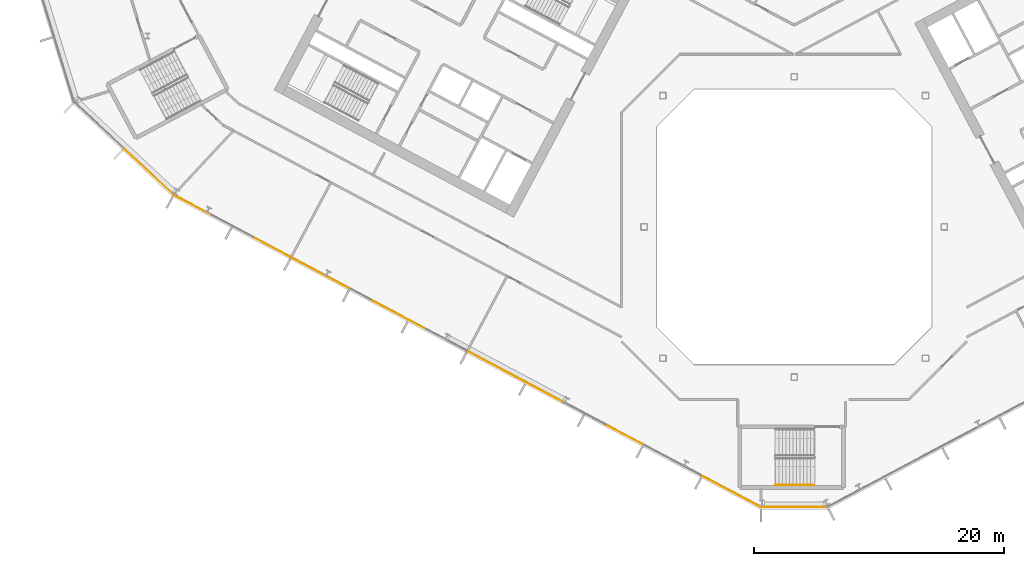
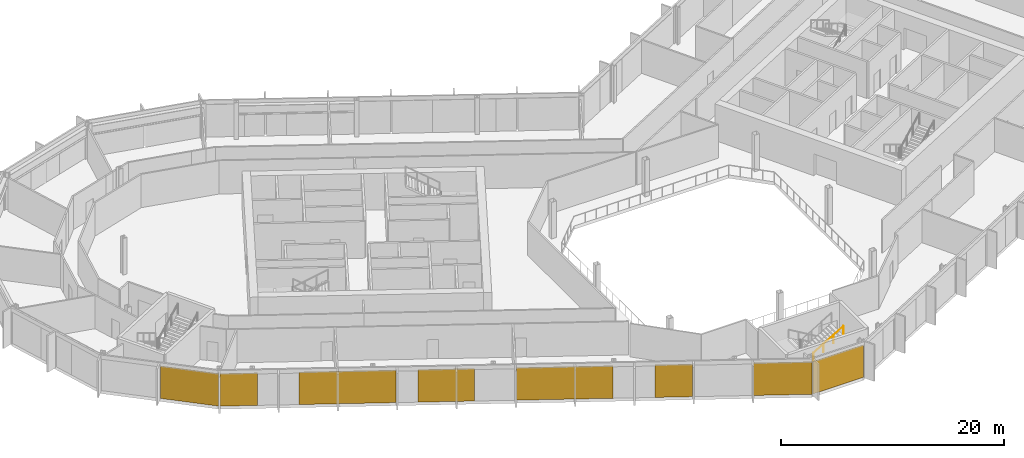
# One storey, part 19 of 28: 8 coverings, 1 railing, 3 elements without a shape of their own.
"""IFC4 building model written with IfcOpenShell, lengths in metres."""

from ifc_helpers import new_model, si_unit, direction, frame, origin, origin_2d, place, context, subcontext, project, spatial, polyline, rectangle, outline, extrude, material, layer, layer_set, type_object, element, aggregate, save


model = new_model("IFC4")

# Units and contexts
model_context = context("Model", 3, precision=1e-05, world=origin(), true_north=direction((0.0, 1.0)))
body_context = subcontext(model_context, "Body", "Model", "MODEL_VIEW")
ifc_project = project(units=[si_unit("LENGTHUNIT", "METRE"), si_unit("AREAUNIT", "SQUARE_METRE"), si_unit("VOLUMEUNIT", "CUBIC_METRE"), si_unit("PLANEANGLEUNIT", "RADIAN"), si_unit("MASSUNIT", "GRAM", prefix="KILO")], contexts=[model_context])

# Site, building, storey
site_placement = place(None, origin())
site = spatial("IfcSite", under=ifc_project, at=site_placement, CompositionType="ELEMENT")
building_placement = place(site_placement, origin())
building = spatial("IfcBuilding", under=site, at=building_placement, Name="Cormorant Relay Tower", CompositionType="ELEMENT")
storey_placement = place(building_placement, frame((0.0, 0.0, 138.199951171875)))
storey = spatial("IfcBuildingStorey", under=building, at=storey_placement, Name="L28", CompositionType="ELEMENT", Elevation=138.199951171875)

# Curtain wall, covering
ifc_material_1 = material(Name="Aluminium 6063-T6 anodised bronze", Category="aluminium")
ifc_layer_1 = layer(ifc_material_1, 0.199951171875)
ifc_layer_set_1 = layer_set([ifc_layer_1], Name="CW1 unitised bronze curtain wall with vertical fins")
curtain_wall_type = type_object("IfcCurtainWallType", Name="CW1 unitised bronze curtain wall with vertical fins", PredefinedType="NOTDEFINED", material=ifc_layer_set_1)
curtain_wall_1_placement = place(storey_placement, origin())
curtain_wall_1 = element("IfcCurtainWall", 1, at=curtain_wall_1_placement, inside=storey, type_object=curtain_wall_type, Name="CW1 curtain wall 1", PredefinedType="NOTDEFINED")
ifc_material_2 = material(Name="Pale bronze anodised aluminium insulated panel", Category="aluminium")
ifc_layer_2 = layer(ifc_material_2, 0.0400390625)
ifc_layer_set_2 = layer_set([ifc_layer_2], Name="CW1 pale bronze insulated panel 40")
covering_type = type_object("IfcCoveringType", Name="CW1 pale bronze insulated panel 40", PredefinedType="CLADDING", material=ifc_layer_set_2)
covering_1_placement = place(storey_placement, frame((0.03759765625, -22.3955078125, 0.0), z_axis=(0.0, 0.0, 1.0), x_axis=(1.0, 0.0, 0.0)))
covering_1 = element("IfcCovering", 2, at=covering_1_placement, type_object=covering_type, Name="CW1 panel S00", PredefinedType="CLADDING", context=body_context, shape_type="SweptSolid", body=[
    extrude(rectangle(XDim=5.22265625, YDim=0.0400390625, at=origin_2d()), origin(), (0.0, 0.0, 1.0), 3.550048828125),
])
aggregate(curtain_wall_1, [covering_1])

curtain_wall_2_placement = place(storey_placement, origin())
curtain_wall_2 = element("IfcCurtainWall", 3, at=curtain_wall_2_placement, inside=storey, type_object=curtain_wall_type, Name="CW1 curtain wall 15", PredefinedType="NOTDEFINED")
covering_2_placement = place(storey_placement, frame((-51.565185546875, 4.3974609375, 0.0), z_axis=(0.0, 0.0, 1.0), x_axis=(0.731353701619, -0.681998360062, 0.0)))
covering_2 = element("IfcCovering", 4, at=covering_2_placement, type_object=covering_type, Name="CW1 panel S01", PredefinedType="CLADDING", context=body_context, shape_type="SweptSolid", body=[
    extrude(rectangle(XDim=5.360107421875, YDim=0.0400390625, at=origin_2d()), origin(), (0.0, 0.0, 1.0), 3.550048828125),
])
aggregate(curtain_wall_2, [covering_2])

# Curtain wall, coverings
curtain_wall_3_placement = place(storey_placement, origin())
curtain_wall_3 = element("IfcCurtainWall", 5, at=curtain_wall_3_placement, inside=storey, type_object=curtain_wall_type, Name="CW1 curtain wall 16", PredefinedType="NOTDEFINED")
covering_3_placement = place(storey_placement, frame((-48.048583984375, 1.7412109375, 0.0), z_axis=(0.0, 0.0, 1.0), x_axis=(0.882947592859, -0.469471562786, 0.0)))
covering_3 = element("IfcCovering", 6, at=covering_3_placement, type_object=covering_type, Name="CW1 panel S00", PredefinedType="CLADDING", context=body_context, shape_type="SweptSolid", body=[
    extrude(rectangle(XDim=3.36669921875, YDim=0.0400390625, at=origin_2d()), origin(), (0.0, 0.0, 1.0), 3.550048828125),
])
covering_4_placement = place(storey_placement, frame((-39.417724609375, -2.847900390625, 0.0), z_axis=(0.0, 0.0, 1.0), x_axis=(0.882947592859, -0.469471562786, 0.0)))
covering_4 = element("IfcCovering", 7, at=covering_4_placement, type_object=covering_type, Name="CW1 panel S03", PredefinedType="CLADDING", context=body_context, shape_type="SweptSolid", body=[
    extrude(rectangle(XDim=8.68310546875, YDim=0.0400390625, at=origin_2d()), origin(), (0.0, 0.0, 1.0), 3.550048828125),
])
covering_5_placement = place(storey_placement, frame((-31.618408203125, -6.994873046875, 0.0), z_axis=(0.0, 0.0, 1.0), x_axis=(0.882947592859, -0.469471562786, 0.0)))
covering_5 = element("IfcCovering", 8, at=covering_5_placement, type_object=covering_type, Name="CW1 panel S05", PredefinedType="CLADDING", context=body_context, shape_type="SweptSolid", body=[
    extrude(rectangle(XDim=5.083251953125, YDim=0.0400390625, at=origin_2d()), origin(), (0.0, 0.0, 1.0), 3.550048828125),
])
covering_6_placement = place(storey_placement, frame((-22.22998046875, -11.98681640625, 0.0), z_axis=(0.0, 0.0, 1.0), x_axis=(0.882947592859, -0.469471562786, 0.0)))
covering_6 = element("IfcCovering", 9, at=covering_6_placement, type_object=covering_type, Name="CW1 panel S07", PredefinedType="CLADDING", context=body_context, shape_type="SweptSolid", body=[
    extrude(rectangle(XDim=8.68310546875, YDim=0.0400390625, at=origin_2d()), origin(), (0.0, 0.0, 1.0), 3.550048828125),
])
covering_7_placement = place(storey_placement, frame((-13.599365234375, -16.57568359375, 0.0), z_axis=(0.0, 0.0, 1.0), x_axis=(0.882947592859, -0.469471562786, 0.0)))
covering_7 = element("IfcCovering", 10, at=covering_7_placement, type_object=covering_type, Name="CW1 panel S10", PredefinedType="CLADDING", context=body_context, shape_type="SweptSolid", body=[
    extrude(rectangle(XDim=3.36669921875, YDim=0.0400390625, at=origin_2d()), origin(), (0.0, 0.0, 1.0), 3.550048828125),
])
covering_8_placement = place(storey_placement, frame((-4.972412109375, -21.162841796875, 0.0), z_axis=(0.0, 0.0, 1.0), x_axis=(0.882947592859, -0.469471562786, 0.0)))
covering_8 = element("IfcCovering", 11, at=covering_8_placement, type_object=covering_type, Name="CW1 panel S12", PredefinedType="CLADDING", context=body_context, shape_type="SweptSolid", body=[
    extrude(rectangle(XDim=5.24169921875, YDim=0.0400390625, at=origin_2d()), origin(), (0.0, 0.0, 1.0), 3.550048828125),
])
aggregate(curtain_wall_3, [covering_3, covering_4, covering_5, covering_6, covering_7, covering_8])

# Railing
ifc_material_3 = material(Name="Steel ASTM A572 Grade 50 (Fy 345 MPa)", Category="steel")
railing_type = type_object("IfcRailingType", Name="Stair handrail 900", PredefinedType="HANDRAIL", material=ifc_material_3)
railing_placement = place(storey_placement, frame((-1.47998046875, -20.625, 2.166748046875)))
element("IfcRailing", 12, at=railing_placement, inside=storey, type_object=railing_type, Name="L28 RK1 stair handrail 2", PredefinedType="HANDRAIL", context=body_context, shape_type="SweptSolid", body=[
    extrude(outline(polyline([(0.022216796875, 0.00927734375), (0.00927734375, 0.022216796875), (-0.00927734375, 0.022216796875), (-0.022216796875, 0.00927734375), (-0.022216796875, -0.00927734375), (-0.00927734375, -0.022216796875), (0.00927734375, -0.022216796875), (0.022216796875, -0.00927734375), (0.022216796875, 0.00927734375)])), frame((0.0, 0.0, 0.8759765625), z_axis=(0.859308565015, 0.0, 0.511457515432), x_axis=(0.0, 1.0, 0.0)), (0.0, 0.0, 1.0), 3.58447265625),
    extrude(outline(polyline([(0.019287109375, 0.008056640625), (0.008056640625, 0.019287109375), (-0.008056640625, 0.019287109375), (-0.019287109375, 0.008056640625), (-0.019287109375, -0.008056640625), (-0.008056640625, -0.019287109375), (0.008056640625, -0.019287109375), (0.019287109375, -0.008056640625), (0.019287109375, 0.008056640625)])), origin(), (0.0, 0.0, 1.0), 0.851806640625),
    extrude(outline(polyline([(0.019287109375, 0.008056640625), (0.008056640625, 0.019287109375), (-0.008056640625, 0.019287109375), (-0.019287109375, 0.008056640625), (-0.019287109375, -0.008056640625), (-0.008056640625, -0.019287109375), (0.008056640625, -0.019287109375), (0.019287109375, -0.008056640625), (0.019287109375, 0.008056640625)])), frame((1.026611328125, 0.0, 0.611083984375)), (0.0, 0.0, 1.0), 0.851806640625),
    extrude(outline(polyline([(0.019287109375, 0.008056640625), (0.008056640625, 0.019287109375), (-0.008056640625, 0.019287109375), (-0.019287109375, 0.008056640625), (-0.019287109375, -0.008056640625), (-0.008056640625, -0.019287109375), (0.008056640625, -0.019287109375), (0.019287109375, -0.008056640625), (0.019287109375, 0.008056640625)])), frame((2.053466796875, 0.0, 1.22216796875)), (0.0, 0.0, 1.0), 0.851806640625),
    extrude(outline(polyline([(0.019287109375, 0.008056640625), (0.008056640625, 0.019287109375), (-0.008056640625, 0.019287109375), (-0.019287109375, 0.008056640625), (-0.019287109375, -0.008056640625), (-0.008056640625, -0.019287109375), (0.008056640625, -0.019287109375), (0.019287109375, -0.008056640625), (0.019287109375, 0.008056640625)])), frame((3.080078125, 0.0, 1.833251953125)), (0.0, 0.0, 1.0), 0.851806640625),
])

save(model, "model.ifc")
